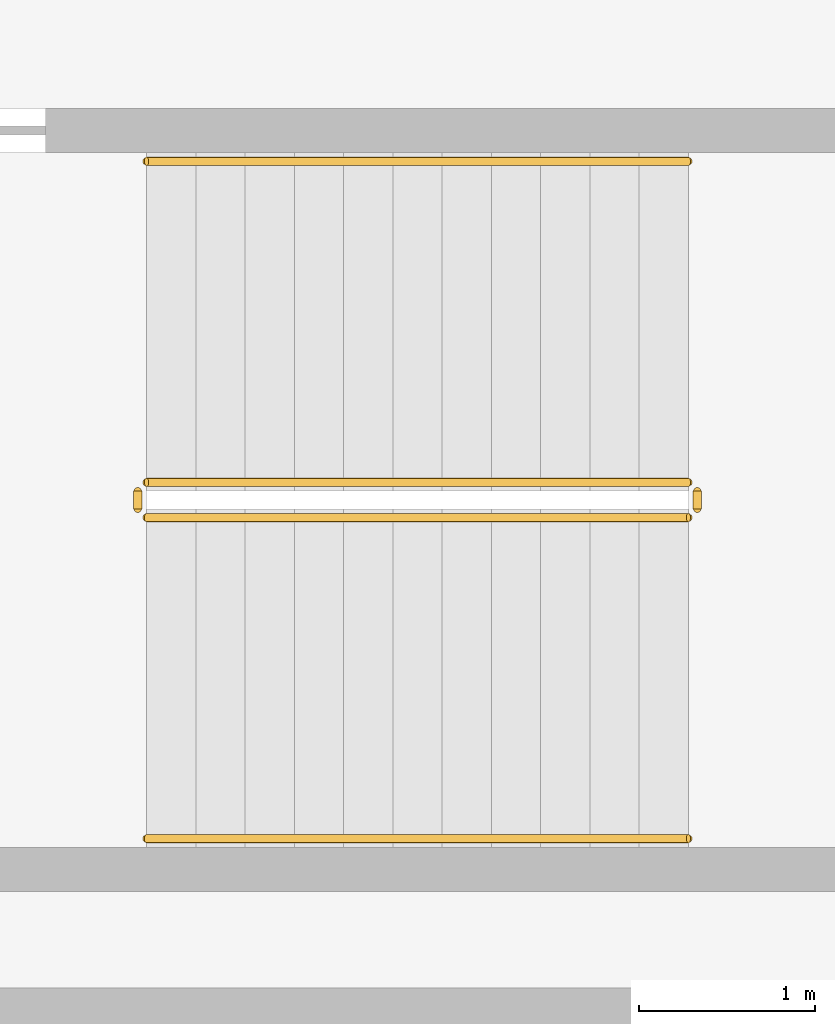
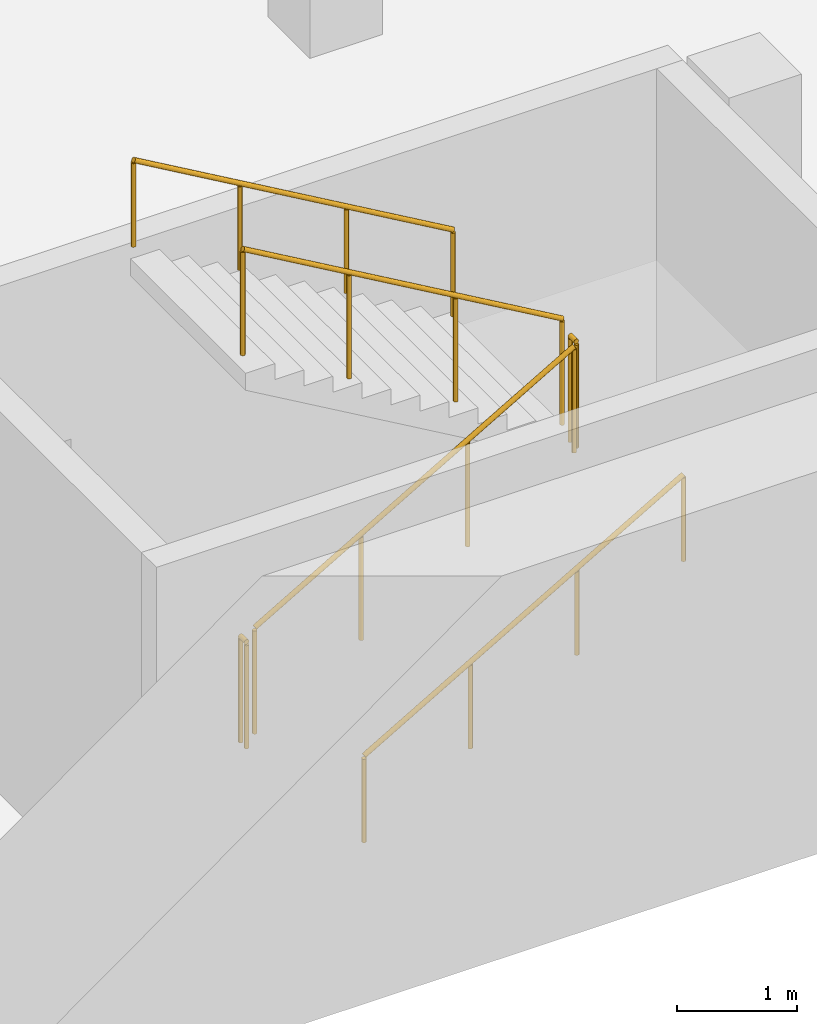
# One storey, part 19 of 25: 6 railings.
"""IFC4 building model written with IfcOpenShell, lengths in metres."""

from ifc_helpers import new_model, si_unit, direction, frame, origin, origin_2d, place, context, subcontext, project, spatial, circle, extrude, material, type_object, element, save


model = new_model("IFC4")

# Units and contexts
model_context = context("Model", 3, precision=1e-05, world=origin(), true_north=direction((0.0, 1.0)))
body_context = subcontext(model_context, "Body", "Model", "MODEL_VIEW")
ifc_project = project(units=[si_unit("LENGTHUNIT", "METRE"), si_unit("AREAUNIT", "SQUARE_METRE"), si_unit("VOLUMEUNIT", "CUBIC_METRE"), si_unit("PLANEANGLEUNIT", "RADIAN"), si_unit("MASSUNIT", "GRAM", prefix="KILO")], contexts=[model_context])

# Site, building, storey
site_placement = place(None, origin())
site = spatial("IfcSite", under=ifc_project, at=site_placement, CompositionType="ELEMENT")
building_placement = place(site_placement, origin())
building = spatial("IfcBuilding", under=site, at=building_placement, Name="Verdalira Terraces Hotel", CompositionType="ELEMENT")
storey_placement = place(building_placement, frame((0.0, 0.0, -3.899902)))
storey = spatial("IfcBuildingStorey", under=building, at=storey_placement, Name="B1", CompositionType="ELEMENT", Elevation=-3.89990234375)

# Railings
ifc_material_1 = material(Name="Stainless steel", Category="steel")
railing_type_1 = type_object("IfcRailingType", Name="Stair guard 1100", PredefinedType="GUARDRAIL", material=ifc_material_1)
railing_1_placement = place(storey_placement, frame((-30.975098, -50.324951, 0.162354)))
element("IfcRailing", 1, at=railing_1_placement, inside=storey, type_object=railing_type_1, Name="B1 Basement stair 1 stair guard 1", PredefinedType="GUARDRAIL", context=body_context, shape_type="SweptSolid", body=[
    extrude(circle(Radius=0.023926, at=origin_2d()), frame((0.0, 0.0, 1.076172), z_axis=(0.864890721, 0.0, 0.501960198), x_axis=(0.0, 1.0, 0.0)), (0.0, 0.0, 1.0), 3.561279),
    extrude(circle(Radius=0.020996, at=origin_2d()), origin(), (0.0, 0.0, 1.0), 1.052002),
    extrude(circle(Radius=0.020996, at=origin_2d()), frame((1.026611, 0.0, 0.595947)), (0.0, 0.0, 1.0), 1.052002),
    extrude(circle(Radius=0.020996, at=origin_2d()), frame((2.053467, 0.0, 1.19165)), (0.0, 0.0, 1.0), 1.052002),
    extrude(circle(Radius=0.020996, at=origin_2d()), frame((3.080078, 0.0, 1.787598)), (0.0, 0.0, 1.0), 1.052002),
])
railing_2_placement = place(storey_placement, frame((-27.844971, -50.274902, 1.949951)))
element("IfcRailing", 2, at=railing_2_placement, inside=storey, type_object=railing_type_1, Name="B1 Basement stair 1 stair guard 2", PredefinedType="GUARDRAIL", context=body_context, shape_type="SweptSolid", body=[
    extrude(circle(Radius=0.023926, at=origin_2d()), frame((0.0, 0.0, 1.076172), z_axis=(0.0, 1.0, 0.0), x_axis=(-1.0, 0.0, 0.0)), (0.0, 0.0, 1.0), 0.099854),
    extrude(circle(Radius=0.020996, at=origin_2d()), origin(), (0.0, 0.0, 1.0), 1.052002),
    extrude(circle(Radius=0.020996, at=origin_2d()), frame((0.0, 0.099854, 0.0)), (0.0, 0.0, 1.0), 1.052002),
])
railing_3_placement = place(storey_placement, frame((-27.89502, -50.125, 2.112305)))
element("IfcRailing", 3, at=railing_3_placement, inside=storey, type_object=railing_type_1, Name="B1 Basement stair 1 stair guard 3", PredefinedType="GUARDRAIL", context=body_context, shape_type="SweptSolid", body=[
    extrude(circle(Radius=0.023926, at=origin_2d()), frame((0.0, 0.0, 1.076172), z_axis=(-0.864890721, 0.0, 0.501960198), x_axis=(0.0, -1.0, 0.0)), (0.0, 0.0, 1.0), 3.561279),
    extrude(circle(Radius=0.020996, at=origin_2d()), origin(), (0.0, 0.0, 1.0), 1.052002),
    extrude(circle(Radius=0.020996, at=origin_2d()), frame((-1.026611, 0.0, 0.595947)), (0.0, 0.0, 1.0), 1.052002),
    extrude(circle(Radius=0.020996, at=origin_2d()), frame((-2.053467, 0.0, 1.19165)), (0.0, 0.0, 1.0), 1.052002),
    extrude(circle(Radius=0.020996, at=origin_2d()), frame((-3.080078, 0.0, 1.787598)), (0.0, 0.0, 1.0), 1.052002),
])
railing_4_placement = place(storey_placement, frame((-31.024902, -50.274902, 0.0)))
element("IfcRailing", 4, at=railing_4_placement, inside=storey, type_object=railing_type_1, Name="B1 Basement stair 1 stair guard 4", PredefinedType="GUARDRAIL", context=body_context, shape_type="SweptSolid", body=[
    extrude(circle(Radius=0.023926, at=origin_2d()), frame((0.0, 0.0, 1.076172), z_axis=(0.0, 1.0, 0.0), x_axis=(-1.0, 0.0, 0.0)), (0.0, 0.0, 1.0), 0.099854),
    extrude(circle(Radius=0.020996, at=origin_2d()), origin(), (0.0, 0.0, 1.0), 1.052002),
    extrude(circle(Radius=0.020996, at=origin_2d()), frame((0.0, 0.099854, 0.0)), (0.0, 0.0, 1.0), 1.052002),
])
ifc_material_2 = material(Name="Stainless steel", Category="steel")
railing_type_2 = type_object("IfcRailingType", Name="Stair handrail 900", PredefinedType="HANDRAIL", material=ifc_material_2)
railing_5_placement = place(storey_placement, frame((-30.975098, -52.149902, 0.162354)))
element("IfcRailing", 5, at=railing_5_placement, inside=storey, type_object=railing_type_2, Name="B1 Basement stair 1 stair handrail 1", PredefinedType="HANDRAIL", context=body_context, shape_type="SweptSolid", body=[
    extrude(circle(Radius=0.023926, at=origin_2d()), frame((0.0, 0.0, 0.875977), z_axis=(0.864890721, 0.0, 0.501960198), x_axis=(0.0, 1.0, 0.0)), (0.0, 0.0, 1.0), 3.561279),
    extrude(circle(Radius=0.020996, at=origin_2d()), origin(), (0.0, 0.0, 1.0), 0.851807),
    extrude(circle(Radius=0.020996, at=origin_2d()), frame((1.026611, 0.0, 0.595947)), (0.0, 0.0, 1.0), 0.851807),
    extrude(circle(Radius=0.020996, at=origin_2d()), frame((2.053467, 0.0, 1.19165)), (0.0, 0.0, 1.0), 0.851807),
    extrude(circle(Radius=0.020996, at=origin_2d()), frame((3.080078, 0.0, 1.787598)), (0.0, 0.0, 1.0), 0.851807),
])
railing_6_placement = place(storey_placement, frame((-27.89502, -48.300049, 2.112305)))
element("IfcRailing", 6, at=railing_6_placement, inside=storey, type_object=railing_type_2, Name="B1 Basement stair 1 stair handrail 2", PredefinedType="HANDRAIL", context=body_context, shape_type="SweptSolid", body=[
    extrude(circle(Radius=0.023926, at=origin_2d()), frame((0.0, 0.0, 0.875977), z_axis=(-0.864890721, 0.0, 0.501960198), x_axis=(0.0, -1.0, 0.0)), (0.0, 0.0, 1.0), 3.561279),
    extrude(circle(Radius=0.020996, at=origin_2d()), origin(), (0.0, 0.0, 1.0), 0.851807),
    extrude(circle(Radius=0.020996, at=origin_2d()), frame((-1.026611, 0.0, 0.595947)), (0.0, 0.0, 1.0), 0.851807),
    extrude(circle(Radius=0.020996, at=origin_2d()), frame((-2.053467, 0.0, 1.19165)), (0.0, 0.0, 1.0), 0.851807),
    extrude(circle(Radius=0.020996, at=origin_2d()), frame((-3.080078, 0.0, 1.787598)), (0.0, 0.0, 1.0), 0.851807),
])

save(model, "model.ifc")
